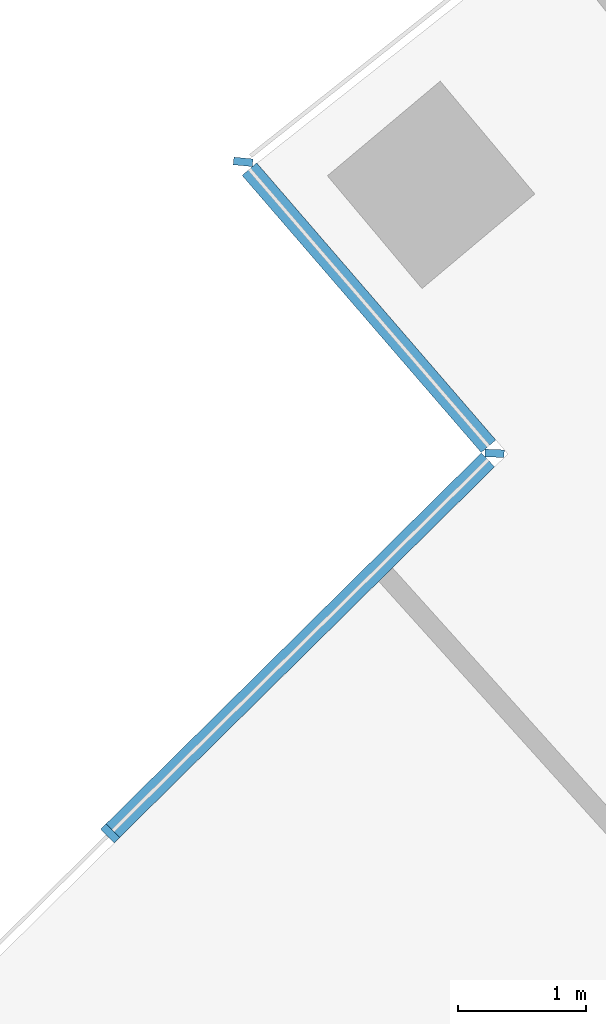
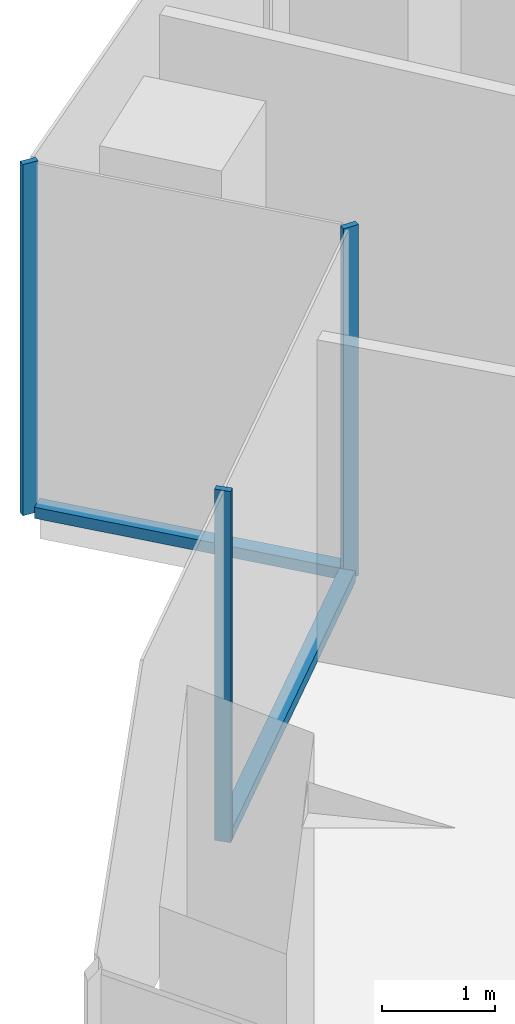
# One storey, part 3 of 21: 5 members, 2 elements without a shape of their own.
"""IFC4 building model written with IfcOpenShell, lengths in metres."""

from ifc_helpers import new_model, si_unit, direction, frame, origin, origin_2d, place, context, subcontext, project, spatial, rectangle, extrude, material, layer, layer_set, material_profile, profile_set, type_object, element, aggregate, save


model = new_model("IFC4")

# Units and contexts
model_context = context("Model", 3, precision=1e-05, world=origin(), true_north=direction((0.0, 1.0)))
body_context = subcontext(model_context, "Body", "Model", "MODEL_VIEW")
ifc_project = project(units=[si_unit("LENGTHUNIT", "METRE"), si_unit("AREAUNIT", "SQUARE_METRE"), si_unit("VOLUMEUNIT", "CUBIC_METRE"), si_unit("PLANEANGLEUNIT", "RADIAN"), si_unit("MASSUNIT", "GRAM", prefix="KILO")], contexts=[model_context])

# Site, building, storey
site_placement = place(None, origin())
site = spatial("IfcSite", under=ifc_project, at=site_placement, CompositionType="ELEMENT")
building_placement = place(site_placement, origin())
building = spatial("IfcBuilding", under=site, at=building_placement, Name="Stone Belt Terrace Tower", CompositionType="ELEMENT")
storey_placement = place(building_placement, frame((0.0, 0.0, 117.39990234375)))
storey = spatial("IfcBuildingStorey", under=building, at=storey_placement, Name="L28", CompositionType="ELEMENT", Elevation=117.39990234375)

# Curtain wall, member
ifc_material = material(Name="Aluminium 6063-T6 anodised frame", Category="aluminium")
ifc_layer = layer(ifc_material, 0.14990234375)
ifc_layer_set = layer_set([ifc_layer], Name="CW-C stick curtain wall, horn ends and notches")
curtain_wall_type = type_object("IfcCurtainWallType", Name="CW-C stick curtain wall, horn ends and notches", PredefinedType="NOTDEFINED", material=ifc_layer_set)
curtain_wall_1_placement = place(storey_placement, origin())
curtain_wall_1 = element("IfcCurtainWall", 1, at=curtain_wall_1_placement, inside=storey, type_object=curtain_wall_type, Name="CW-C notch face L28", PredefinedType="NOTDEFINED")
ifc_material_profile_1 = material_profile(ifc_material, rectangle(XDim=0.14990234375, YDim=0.06005859375, at=origin_2d()), Name="Aluminium 6063-T6 60x150")
ifc_profile_set_1 = profile_set([ifc_material_profile_1], Name="Aluminium 6063-T6 anodised frame")
member_type_1 = type_object("IfcMemberType", Name="CW-C mullion 60 x 150", PredefinedType="MULLION", material=ifc_profile_set_1)
member_1_placement = place(storey_placement, frame((-43.55224609375, 50.357421875, 0.0), z_axis=(0.0, 0.0, 1.0), x_axis=(0.995550667731, -0.094227745281, 0.0)))
member_1 = element("IfcMember", 2, at=member_1_placement, type_object=member_type_1, Name="CW-C mullion 1", PredefinedType="MULLION", context=body_context, shape_type="SweptSolid", body=[
    extrude(rectangle(XDim=0.14990234375, YDim=0.06005859375, at=origin_2d()), origin(), (0.0, 0.0, 1.0), 3.800048828125),
])

# Curtain wall, members
curtain_wall_2_placement = place(storey_placement, origin())
curtain_wall_2 = element("IfcCurtainWall", 3, at=curtain_wall_2_placement, inside=storey, type_object=curtain_wall_type, Name="CW-C notch face L28", PredefinedType="NOTDEFINED")
member_2_placement = place(storey_placement, frame((-41.587158203125, 48.079833984375, 0.0), z_axis=(0.0, 0.0, 1.0), x_axis=(0.999214866192, -0.039618823574, 0.0)))
member_2 = element("IfcMember", 4, at=member_2_placement, type_object=member_type_1, Name="CW-C mullion 1", PredefinedType="MULLION", context=body_context, shape_type="SweptSolid", body=[
    extrude(rectangle(XDim=0.14990234375, YDim=0.06005859375, at=origin_2d()), origin(), (0.0, 0.0, 1.0), 3.800048828125),
])
member_3_placement = place(storey_placement, frame((-44.5908203125, 45.110595703125, 0.0), z_axis=(0.0, 0.0, 1.0), x_axis=(0.702997525353, -0.711192294213, 0.0)))
member_3 = element("IfcMember", 5, at=member_3_placement, type_object=member_type_1, Name="CW-C mullion 2", PredefinedType="MULLION", context=body_context, shape_type="SweptSolid", body=[
    extrude(rectangle(XDim=0.14990234375, YDim=0.06005859375, at=origin_2d()), origin(), (0.0, 0.0, 1.0), 3.800048828125),
])

# Member
ifc_material_profile_2 = material_profile(ifc_material, rectangle(XDim=0.14990234375, YDim=0.1201171875, at=origin_2d()), Name="Aluminium 6063-T6 150x120")
ifc_profile_set_2 = profile_set([ifc_material_profile_2], Name="Aluminium 6063-T6 anodised frame")
member_type_2 = type_object("IfcMemberType", Name="CW-C transom 120 x 150", PredefinedType="USERDEFINED", material=ifc_profile_set_2)
member_4_placement = place(storey_placement, frame((-43.50341796875, 50.300537109375, 0.06005859375), z_axis=(0.653346473244, -0.757059037262, 0.0), x_axis=(0.757059037262, 0.653346473244, 0.0)))
member_4 = element("IfcMember", 6, at=member_4_placement, type_object=member_type_2, Name="CW-C transom 1.1", ObjectType="TRANSOM", PredefinedType="USERDEFINED", context=body_context, shape_type="SweptSolid", body=[
    extrude(rectangle(XDim=0.14990234375, YDim=0.1201171875, at=origin_2d()), origin(), (0.0, 0.0, 1.0), 2.860107421875),
])

aggregate(curtain_wall_1, [member_1, member_4])

member_5_placement = place(storey_placement, frame((-41.63916015625, 48.028564453125, 0.06005859375), z_axis=(-0.711183244055, -0.703006680889, 0.0), x_axis=(0.703006680889, -0.711183244055, 0.0)))
member_5 = element("IfcMember", 7, at=member_5_placement, type_object=member_type_2, Name="CW-C transom 1.1", ObjectType="TRANSOM", PredefinedType="USERDEFINED", context=body_context, shape_type="SweptSolid", body=[
    extrude(rectangle(XDim=0.14990234375, YDim=0.1201171875, at=origin_2d()), origin(), (0.0, 0.0, 1.0), 4.12060546875),
])

aggregate(curtain_wall_2, [member_2, member_3, member_5])

save(model, "model.ifc")
